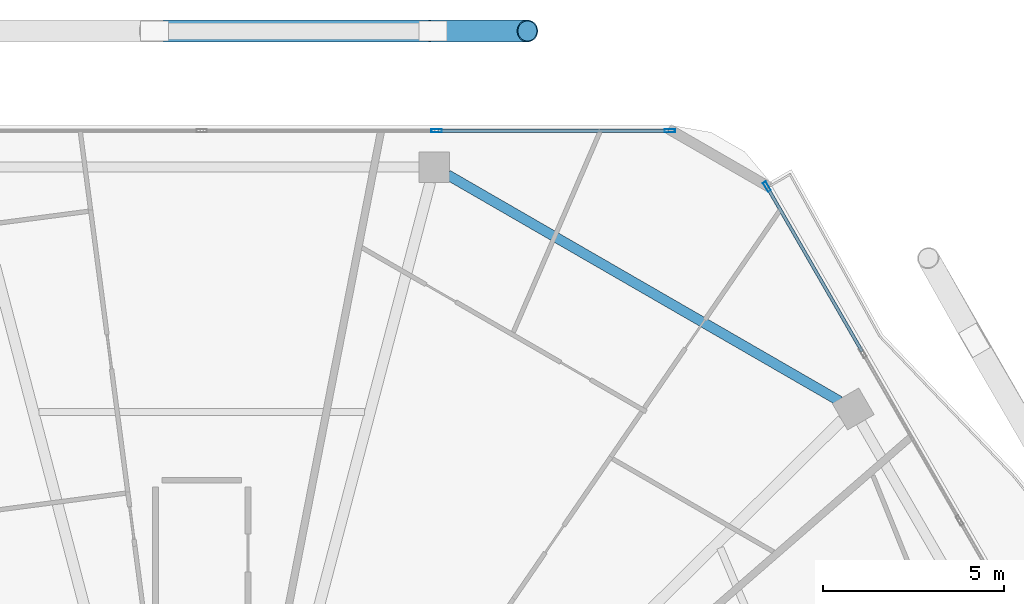
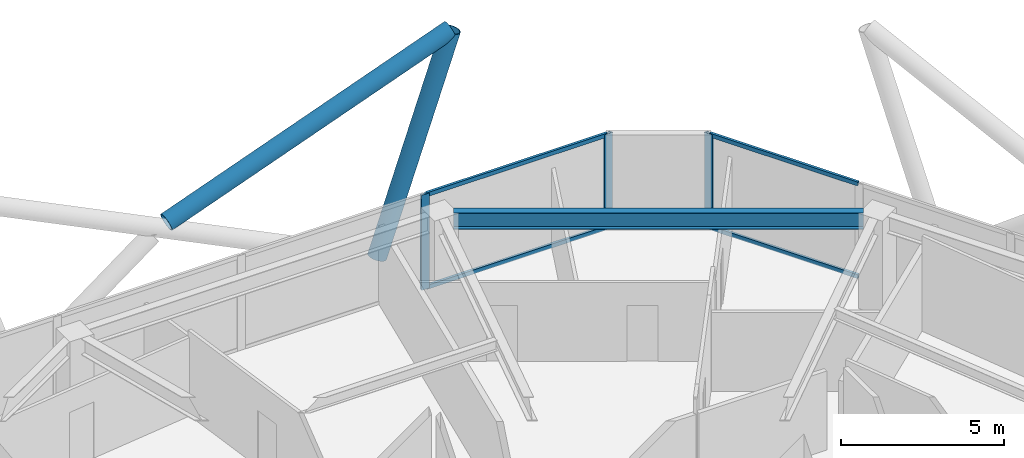
# One storey, part 18 of 28: 9 members, 1 beam, 2 elements without a shape of their own.
"""IFC4 building model written with IfcOpenShell, lengths in metres."""

import ifcopenshell
import ifcopenshell.guid

model = None  # the IFC model being written
_history = None  # IfcOwnerHistory: only IFC2X3 demands one
_inside = {}  # id of a spatial element -> (the spatial element, [elements in it])
_under = {}  # id of a project, library or spatial element -> (it, [spatial elements below it])
_declared = {}  # id of a project -> (the project, [libraries it declares])
_typed = {}  # id of a type object -> (the type object, [elements of that type])
_made_of = {}  # id of a material, layer set ... -> (it, [elements and type objects made of it])


def new_model(schema):
    """Start an empty IFC model of exactly this schema.

    Asked for "IFC4X3", IfcOpenShell would pick the latest addendum, in which some entities
    have other attributes; the version numbers below select the first issue.
    IFC2X3 requires an IfcOwnerHistory on every rooted entity: one is made here for all.
    """
    global model, _history
    if schema == "IFC4X3":
        model = ifcopenshell.file(schema_version=(4, 3, 0, 0))
    else:
        model = ifcopenshell.file(schema=schema)
    _inside.clear()
    _under.clear()
    _declared.clear()
    _typed.clear()
    _made_of.clear()
    _history = None
    if model.schema == "IFC2X3":
        org = make("IfcOrganization", Name="unknown")
        user = make(
            "IfcPersonAndOrganization",
            ThePerson=make("IfcPerson", FamilyName="unknown"),
            TheOrganization=org,
        )
        app = make(
            "IfcApplication",
            ApplicationDeveloper=org,
            Version="unknown",
            ApplicationFullName="unknown",
            ApplicationIdentifier="unknown",
        )
        _history = make(
            "IfcOwnerHistory",
            OwningUser=user,
            OwningApplication=app,
            ChangeAction="ADDED",
            CreationDate=0,
        )
    return model


def make(cls, **values):
    """One entity of the class cls with the attributes given. An attribute that is None is left unset."""
    return model.create_entity(
        cls, **{name: value for name, value in values.items() if value is not None}
    )


def rooted(cls, **values):
    """An entity with a GlobalId (a new one), such as an element, a storey or a relation."""
    return make(cls, GlobalId=ifcopenshell.guid.new(), OwnerHistory=_history, **values)


def si_unit(unit_type, name, prefix=None):
    """IfcSIUnit, for example si_unit("LENGTHUNIT", "METRE", prefix="MILLI")."""
    return make("IfcSIUnit", UnitType=unit_type, Prefix=prefix, Name=name)


def assignment(units):
    """IfcUnitAssignment: the units of a project."""
    return None if units is None else make("IfcUnitAssignment", Units=units)


def point(xyz):
    """IfcCartesianPoint."""
    return None if xyz is None else make("IfcCartesianPoint", Coordinates=xyz)


def direction(xyz):
    """IfcDirection."""
    return None if xyz is None else make("IfcDirection", DirectionRatios=xyz)


def frame(location, z_axis=None, x_axis=None):
    """IfcAxis2Placement3D, a coordinate frame: its origin and axes. An axis left out is left unset."""
    return make(
        "IfcAxis2Placement3D",
        Location=point(location),
        Axis=direction(z_axis),
        RefDirection=direction(x_axis),
    )


def frame_2d(location, x_axis=None):
    """IfcAxis2Placement2D, a coordinate frame in the plane: its origin and x axis."""
    return make(
        "IfcAxis2Placement2D", Location=point(location), RefDirection=direction(x_axis)
    )


def origin():
    """The frame at (0, 0, 0) with its axes left unset."""
    return frame((0.0, 0.0, 0.0))


def origin_2d():
    """The frame at (0, 0) in the plane with its x axis left unset."""
    return frame_2d((0.0, 0.0))


def place(relative_to, where):
    """IfcLocalPlacement: puts the frame where relative to a parent placement (None: the world)."""
    return make(
        "IfcLocalPlacement", PlacementRelTo=relative_to, RelativePlacement=where
    )


def context(
    kind, dimensions, precision=None, world=None, true_north=None, identifier=None
):
    """IfcGeometricRepresentationContext, for example the 3D "Model" context."""
    return make(
        "IfcGeometricRepresentationContext",
        ContextIdentifier=identifier,
        ContextType=kind,
        CoordinateSpaceDimension=dimensions,
        Precision=precision,
        WorldCoordinateSystem=world,
        TrueNorth=true_north,
    )


def subcontext(parent, identifier, kind, view, scale=None):
    """IfcGeometricRepresentationSubContext, for example "Body" below "Model"."""
    return make(
        "IfcGeometricRepresentationSubContext",
        ContextIdentifier=identifier,
        ContextType=kind,
        ParentContext=parent,
        TargetScale=scale,
        TargetView=view,
    )


def project(units=None, contexts=None):
    """IfcProject with its units and contexts."""
    return rooted(
        "IfcProject",
        Name="project",
        RepresentationContexts=contexts,
        UnitsInContext=assignment(units),
    )


def spatial(cls, under=None, at=None, **own):
    """A site, building, storey or space (cls), placed at a placement, below another one or the project."""
    s = rooted(cls, ObjectPlacement=at, **own)
    if under is not None:
        _under.setdefault(under.id(), (under, []))[1].append(s)
    return s


def profile(cls, at=None, kind="AREA", **sizes):
    """A parametric profile (cls). Its sizes go by their IFC names, for example OverallWidth=200.0."""
    return make(cls, ProfileType=kind, Position=at, **sizes)


def hollow_rectangle(**sizes):
    """IfcRectangleHollowProfileDef."""
    return profile("IfcRectangleHollowProfileDef", **sizes)


def hollow_circle(**sizes):
    """IfcCircleHollowProfileDef."""
    return profile("IfcCircleHollowProfileDef", **sizes)


def i_section(**sizes):
    """IfcIShapeProfileDef."""
    return profile("IfcIShapeProfileDef", **sizes)


def extrude(swept, where, along, depth):
    """IfcExtrudedAreaSolid: the profile swept, set in the frame where, extruded along a direction by depth."""
    return make(
        "IfcExtrudedAreaSolid",
        SweptArea=swept,
        Position=where,
        ExtrudedDirection=direction(along),
        Depth=depth,
    )


def shape(context_of_items, identifier, shape_type, items):
    """IfcShapeRepresentation: the items that make up one representation, for example the "Body"."""
    return make(
        "IfcShapeRepresentation",
        ContextOfItems=context_of_items,
        RepresentationIdentifier=identifier,
        RepresentationType=shape_type,
        Items=items,
    )


def material(Name=None, Category=None):
    """IfcMaterial."""
    return make("IfcMaterial", Name=Name, Category=Category)


def material_profile(
    of_material, cross_section, Name=None, Category=None, Priority=None
):
    """IfcMaterialProfile: a cross section and its material."""
    return make(
        "IfcMaterialProfile",
        Name=Name,
        Material=of_material,
        Profile=cross_section,
        Priority=Priority,
        Category=Category,
    )


def profile_set(profiles, Name=None, composite=None):
    """IfcMaterialProfileSet."""
    return make(
        "IfcMaterialProfileSet",
        Name=Name,
        MaterialProfiles=profiles,
        CompositeProfile=composite,
    )


def made_of(thing, what):
    """Note that an element or type object is made of a material, layer set ...; save() writes the relation."""
    if what is not None:
        _made_of.setdefault(what.id(), (what, []))[1].append(thing)
    return thing


def type_object(cls, material=None, **own):
    """A type object (cls), such as IfcWallType, which elements share."""
    return made_of(rooted(cls, **own), material)


def element(
    cls,
    number,
    at=None,
    inside=None,
    cuts=None,
    type_object=None,
    material=None,
    context=None,
    identifier="Body",
    shape_type=None,
    held_by="IfcProductDefinitionShape",
    body=None,
    shapes=None,
    **own,
):
    """One element of the class cls, such as IfcWall. Its Tag is "e" and its number.

    at: its placement. inside: the storey or other place that contains it. cuts: it is an
    opening in that element (IfcRelVoidsElement). A single representation is given by context,
    identifier, shape_type and body (its items); several are given by shapes. held_by: the class
    of the entity that holds the representations. save() writes the other relations.
    """
    e = rooted(cls, Tag="e%d" % number, ObjectPlacement=at, **own)
    if body is not None:
        shapes = [shape(context, identifier, shape_type, body)]
    if shapes is not None:
        e.Representation = make(held_by, Representations=shapes)
    if inside is not None:
        _inside.setdefault(inside.id(), (inside, []))[1].append(e)
    if cuts is not None:
        rooted(
            "IfcRelVoidsElement", RelatingBuildingElement=cuts, RelatedOpeningElement=e
        )
    if type_object is not None:
        _typed.setdefault(type_object.id(), (type_object, []))[1].append(e)
    return made_of(e, material)


def aggregate(whole, parts):
    """IfcRelAggregates: a whole, such as a stair, and the parts it consists of."""
    return rooted("IfcRelAggregates", RelatingObject=whole, RelatedObjects=parts)


def save(model, path):
    """Write the relations noted so far, then the file.

    IfcRelAggregates (storeys below a building ...), IfcRelContainedInSpatialStructure (elements
    in a storey), IfcRelDefinesByType, IfcRelAssociatesMaterial and IfcRelDeclares: one each for
    every whole, place, type object, material and project.
    """
    for whole, parts in _under.values():
        aggregate(whole, parts)
    for where, things in _inside.values():
        rooted(
            "IfcRelContainedInSpatialStructure",
            RelatedElements=things,
            RelatingStructure=where,
        )
    for kind, things in _typed.values():
        rooted("IfcRelDefinesByType", RelatedObjects=things, RelatingType=kind)
    for what, things in _made_of.values():
        rooted("IfcRelAssociatesMaterial", RelatedObjects=things, RelatingMaterial=what)
    for by, libraries in _declared.values():
        rooted("IfcRelDeclares", RelatingContext=by, RelatedDefinitions=libraries)
    model.write(path)


model = new_model("IFC4")

# Units and contexts
model_context = context("Model", 3, precision=1e-05, world=origin(), true_north=direction((0.0, 1.0)))
body_context = subcontext(model_context, "Body", "Model", "MODEL_VIEW")
ifc_project = project(units=[si_unit("LENGTHUNIT", "METRE"), si_unit("AREAUNIT", "SQUARE_METRE"), si_unit("VOLUMEUNIT", "CUBIC_METRE"), si_unit("PLANEANGLEUNIT", "RADIAN"), si_unit("MASSUNIT", "GRAM", prefix="KILO")], contexts=[model_context])

# Site, building, storey
site_placement = place(None, origin())
site = spatial("IfcSite", under=ifc_project, at=site_placement, CompositionType="ELEMENT")
building_placement = place(site_placement, origin())
building = spatial("IfcBuilding", under=site, at=building_placement, Name="Zuhravey Tower", CompositionType="ELEMENT")
storey_placement = place(building_placement, frame((0.0, 0.0, 284.39990234375)))
storey = spatial("IfcBuildingStorey", under=building, at=storey_placement, Name="L72", CompositionType="ELEMENT", Elevation=284.39990234375)

# Curtain wall, members
ifc_material_1 = material(Name="Thermally broken anodised aluminium", Category="aluminium")
curtain_wall_type = type_object("IfcCurtainWallType", Name="Zone 3-4 High-Rise Curtain Wall CW4", PredefinedType="NOTDEFINED", material=ifc_material_1)
curtain_wall_1_placement = place(storey_placement, origin())
curtain_wall_1 = element("IfcCurtainWall", 1, at=curtain_wall_1_placement, inside=storey, type_object=curtain_wall_type, Name="L72 CW4 CW-L72-F2-1", PredefinedType="NOTDEFINED")
ifc_material_2 = material(Name="Anodised aluminium", Category="aluminium")
ifc_material_profile_1 = material_profile(ifc_material_2, hollow_rectangle(XDim=0.090087890625, YDim=0.284912109375, WallThickness=0.0048828125, at=origin_2d()), Name="ALU-RHS-90x285x5")
ifc_profile_set_1 = profile_set([ifc_material_profile_1], Name="Anodised aluminium")
member_type_1 = type_object("IfcMemberType", Name="Curtain-Wall Mullion 90x180", PredefinedType="MULLION", material=ifc_profile_set_1)
member_1_placement = place(storey_placement, frame((42.50634765625, 57.563720703125, 0.0), z_axis=(0.0, 0.0, 1.0), x_axis=(0.0, 1.0, 0.0)))
member_1 = element("IfcMember", 2, at=member_1_placement, type_object=member_type_1, Name="CW4 mullion 4", PredefinedType="MULLION", context=body_context, shape_type="SweptSolid", body=[
    extrude(hollow_rectangle(XDim=0.090087890625, YDim=0.284912109375, WallThickness=0.0048828125, at=origin_2d()), origin(), (0.0, 0.0, 1.0), 3.550048828125),
])
member_2_placement = place(storey_placement, frame((48.9677734375, 57.563720703125, 0.0), z_axis=(0.0, 0.0, 1.0), x_axis=(0.0, 1.0, 0.0)))
member_2 = element("IfcMember", 3, at=member_2_placement, type_object=member_type_1, Name="CW4 mullion 5", PredefinedType="MULLION", context=body_context, shape_type="SweptSolid", body=[
    extrude(hollow_rectangle(XDim=0.090087890625, YDim=0.284912109375, WallThickness=0.0048828125, at=origin_2d()), origin(), (0.0, 0.0, 1.0), 3.550048828125),
])

# Curtain wall, member
curtain_wall_2_placement = place(storey_placement, origin())
curtain_wall_2 = element("IfcCurtainWall", 4, at=curtain_wall_2_placement, inside=storey, type_object=curtain_wall_type, Name="L72 CW4 CW-L72-F1-1", PredefinedType="NOTDEFINED")
member_3_placement = place(storey_placement, frame((51.65478515625, 56.01220703125, 0.0), z_axis=(0.0, 0.0, 1.0), x_axis=(0.866024974058, 0.500000744307, 0.0)))
member_3 = element("IfcMember", 5, at=member_3_placement, type_object=member_type_1, Name="CW4 mullion 1", PredefinedType="MULLION", context=body_context, shape_type="SweptSolid", body=[
    extrude(hollow_rectangle(XDim=0.090087890625, YDim=0.284912109375, WallThickness=0.0048828125, at=origin_2d()), origin(), (0.0, 0.0, 1.0), 3.550048828125),
])

# Member
ifc_material_profile_2 = material_profile(ifc_material_2, hollow_rectangle(XDim=0.090087890625, YDim=0.14990234375, WallThickness=0.0048828125, at=origin_2d()), Name="ALU-RHS-90x150x5")
ifc_profile_set_2 = profile_set([ifc_material_profile_2], Name="Anodised aluminium")
member_type_2 = type_object("IfcMemberType", Name="Curtain-Wall Transom 90x150", PredefinedType="USERDEFINED", material=ifc_profile_set_2)
member_4_placement = place(storey_placement, frame((42.55126953125, 57.563720703125, 0.045166015625), z_axis=(1.0, 0.0, 0.0), x_axis=(0.0, 1.0, 0.0)))
member_4 = element("IfcMember", 6, at=member_4_placement, type_object=member_type_2, Name="CW4 transom 4.1", ObjectType="TRANSOM", PredefinedType="USERDEFINED", context=body_context, shape_type="SweptSolid", body=[
    extrude(hollow_rectangle(XDim=0.090087890625, YDim=0.14990234375, WallThickness=0.0048828125, at=origin_2d()), origin(), (0.0, 0.0, 1.0), 6.371337890625),
])

member_5_placement = place(storey_placement, frame((42.55126953125, 57.563720703125, 3.505126953125), z_axis=(1.0, 0.0, 0.0), x_axis=(0.0, 1.0, 0.0)))
member_5 = element("IfcMember", 7, at=member_5_placement, type_object=member_type_2, Name="CW4 transom 4.2", ObjectType="TRANSOM", PredefinedType="USERDEFINED", context=body_context, shape_type="SweptSolid", body=[
    extrude(hollow_rectangle(XDim=0.090087890625, YDim=0.14990234375, WallThickness=0.0048828125, at=origin_2d()), origin(), (0.0, 0.0, 1.0), 6.371337890625),
])

aggregate(curtain_wall_1, [member_1, member_2, member_4, member_5])

member_6_placement = place(storey_placement, frame((51.677490234375, 55.97314453125, 0.045166015625), z_axis=(0.499980071345, -0.866036909293, 0.0), x_axis=(0.866036909293, 0.499980071345, 0.0)))
member_6 = element("IfcMember", 8, at=member_6_placement, type_object=member_type_2, Name="CW4 transom 1.1", ObjectType="TRANSOM", PredefinedType="USERDEFINED", context=body_context, shape_type="SweptSolid", body=[
    extrude(hollow_rectangle(XDim=0.090087890625, YDim=0.14990234375, WallThickness=0.0048828125, at=origin_2d()), origin(), (0.0, 0.0, 1.0), 5.222900390625),
])

member_7_placement = place(storey_placement, frame((51.677490234375, 55.97314453125, 3.505126953125), z_axis=(0.499980071345, -0.866036909293, 0.0), x_axis=(0.866036909293, 0.499980071345, 0.0)))
member_7 = element("IfcMember", 9, at=member_7_placement, type_object=member_type_2, Name="CW4 transom 1.2", ObjectType="TRANSOM", PredefinedType="USERDEFINED", context=body_context, shape_type="SweptSolid", body=[
    extrude(hollow_rectangle(XDim=0.090087890625, YDim=0.14990234375, WallThickness=0.0048828125, at=origin_2d()), origin(), (0.0, 0.0, 1.0), 5.222900390625),
])

aggregate(curtain_wall_2, [member_3, member_6, member_7])

# Members
ifc_material_3 = material(Name="Steel SM355", Category="steel")
ifc_material_profile_3 = material_profile(ifc_material_3, hollow_circle(Radius=0.3046875, WallThickness=0.028076171875, at=origin_2d()), Name="CHS-609.6x28")
ifc_profile_set_3 = profile_set([ifc_material_profile_3], Name="Steel SM355")
member_type_3 = type_object("IfcMemberType", Name="Exoskeleton Zone 3 Diagrid CHS610x28", PredefinedType="BRACE", material=ifc_profile_set_3)
member_8_placement = place(storey_placement, frame((42.413818359375, 60.323486328125, -0.44580078125), z_axis=(0.326060268586, 0.0, 0.945348983841), x_axis=(0.0, 1.0, 0.0)))
element("IfcMember", 10, at=member_8_placement, inside=storey, type_object=member_type_3, Name="L72 Face 2 Diagrid Brace 1", PredefinedType="BRACE", context=body_context, shape_type="SweptSolid", body=[
    extrude(hollow_circle(Radius=0.3046875, WallThickness=0.028076171875, at=origin_2d()), origin(), (0.0, 0.0, 1.0), 8.001220703125),
])
member_9_placement = place(storey_placement, frame((34.96630859375, 60.323486328125, 3.437744140625), z_axis=(0.938612518057, 0.0, 0.344973246712), x_axis=(0.0, 1.0, 0.0)))
element("IfcMember", 11, at=member_9_placement, inside=storey, type_object=member_type_3, Name="L72 Face 2 Split Diagrid Brace 3B", PredefinedType="BRACE", context=body_context, shape_type="SweptSolid", body=[
    extrude(hollow_circle(Radius=0.3046875, WallThickness=0.028076171875, at=origin_2d()), origin(), (0.0, 0.0, 1.0), 10.679931640625),
])

# Beam
ifc_material_profile_4 = material_profile(ifc_material_3, i_section(OverallWidth=0.280029296875, OverallDepth=0.6201171875, WebThickness=0.011962890625, FlangeThickness=0.02001953125, at=origin_2d()), Name="H-620x280x12x20")
ifc_profile_set_4 = profile_set([ifc_material_profile_4], Name="Steel SM355")
beam_type = type_object("IfcBeamType", Name="Perimeter Ring Beam H620x280", PredefinedType="BEAM", material=ifc_profile_set_4)
beam_placement = place(storey_placement, frame((53.6728515625, 50.068603515625, 3.239990234375), z_axis=(-0.866018312875, 0.500012281615, 0.0), x_axis=(-0.500012281615, -0.866018312875, 0.0)))
element("IfcBeam", 12, at=beam_placement, inside=storey, type_object=beam_type, Name="L72 PB3 BM-L72-PB-02", PredefinedType="BEAM", context=body_context, shape_type="SweptSolid", body=[
    extrude(i_section(OverallWidth=0.280029296875, OverallDepth=0.6201171875, WebThickness=0.011962890625, FlangeThickness=0.02001953125, at=origin_2d()), origin(), (0.0, 0.0, 1.0), 12.541748046875),
])

save(model, "model.ifc")
